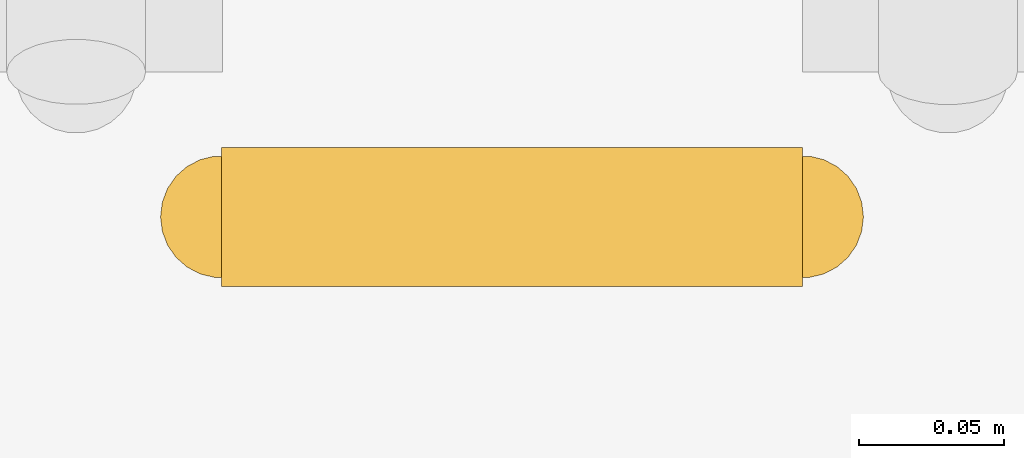
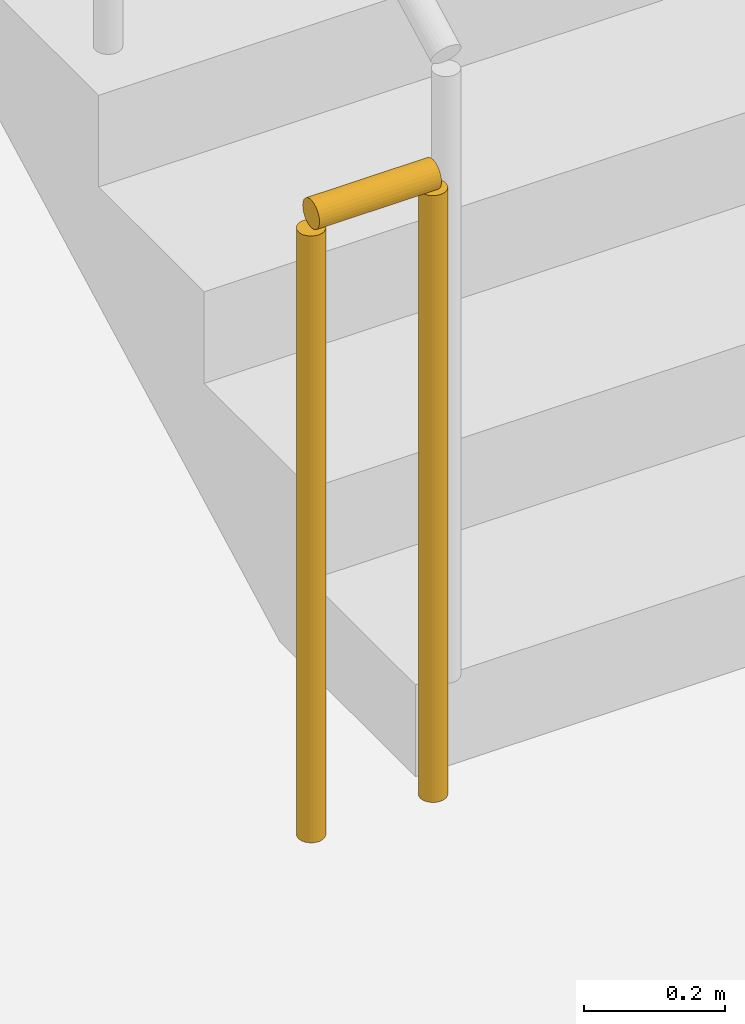
# One storey, part 34 of 45: 1 railing.
"""IFC4 building model written with IfcOpenShell, lengths in metres."""

import ifcopenshell
import ifcopenshell.guid

model = None  # the IFC model being written
_history = None  # IfcOwnerHistory: only IFC2X3 demands one
_inside = {}  # id of a spatial element -> (the spatial element, [elements in it])
_under = {}  # id of a project, library or spatial element -> (it, [spatial elements below it])
_declared = {}  # id of a project -> (the project, [libraries it declares])
_typed = {}  # id of a type object -> (the type object, [elements of that type])
_made_of = {}  # id of a material, layer set ... -> (it, [elements and type objects made of it])


def new_model(schema):
    """Start an empty IFC model of exactly this schema.

    Asked for "IFC4X3", IfcOpenShell would pick the latest addendum, in which some entities
    have other attributes; the version numbers below select the first issue.
    IFC2X3 requires an IfcOwnerHistory on every rooted entity: one is made here for all.
    """
    global model, _history
    if schema == "IFC4X3":
        model = ifcopenshell.file(schema_version=(4, 3, 0, 0))
    else:
        model = ifcopenshell.file(schema=schema)
    _inside.clear()
    _under.clear()
    _declared.clear()
    _typed.clear()
    _made_of.clear()
    _history = None
    if model.schema == "IFC2X3":
        org = make("IfcOrganization", Name="unknown")
        user = make(
            "IfcPersonAndOrganization",
            ThePerson=make("IfcPerson", FamilyName="unknown"),
            TheOrganization=org,
        )
        app = make(
            "IfcApplication",
            ApplicationDeveloper=org,
            Version="unknown",
            ApplicationFullName="unknown",
            ApplicationIdentifier="unknown",
        )
        _history = make(
            "IfcOwnerHistory",
            OwningUser=user,
            OwningApplication=app,
            ChangeAction="ADDED",
            CreationDate=0,
        )
    return model


def make(cls, **values):
    """One entity of the class cls with the attributes given. An attribute that is None is left unset."""
    return model.create_entity(
        cls, **{name: value for name, value in values.items() if value is not None}
    )


def rooted(cls, **values):
    """An entity with a GlobalId (a new one), such as an element, a storey or a relation."""
    return make(cls, GlobalId=ifcopenshell.guid.new(), OwnerHistory=_history, **values)


def si_unit(unit_type, name, prefix=None):
    """IfcSIUnit, for example si_unit("LENGTHUNIT", "METRE", prefix="MILLI")."""
    return make("IfcSIUnit", UnitType=unit_type, Prefix=prefix, Name=name)


def assignment(units):
    """IfcUnitAssignment: the units of a project."""
    return None if units is None else make("IfcUnitAssignment", Units=units)


def point(xyz):
    """IfcCartesianPoint."""
    return None if xyz is None else make("IfcCartesianPoint", Coordinates=xyz)


def direction(xyz):
    """IfcDirection."""
    return None if xyz is None else make("IfcDirection", DirectionRatios=xyz)


def frame(location, z_axis=None, x_axis=None):
    """IfcAxis2Placement3D, a coordinate frame: its origin and axes. An axis left out is left unset."""
    return make(
        "IfcAxis2Placement3D",
        Location=point(location),
        Axis=direction(z_axis),
        RefDirection=direction(x_axis),
    )


def frame_2d(location, x_axis=None):
    """IfcAxis2Placement2D, a coordinate frame in the plane: its origin and x axis."""
    return make(
        "IfcAxis2Placement2D", Location=point(location), RefDirection=direction(x_axis)
    )


def origin():
    """The frame at (0, 0, 0) with its axes left unset."""
    return frame((0.0, 0.0, 0.0))


def origin_2d():
    """The frame at (0, 0) in the plane with its x axis left unset."""
    return frame_2d((0.0, 0.0))


def place(relative_to, where):
    """IfcLocalPlacement: puts the frame where relative to a parent placement (None: the world)."""
    return make(
        "IfcLocalPlacement", PlacementRelTo=relative_to, RelativePlacement=where
    )


def context(
    kind, dimensions, precision=None, world=None, true_north=None, identifier=None
):
    """IfcGeometricRepresentationContext, for example the 3D "Model" context."""
    return make(
        "IfcGeometricRepresentationContext",
        ContextIdentifier=identifier,
        ContextType=kind,
        CoordinateSpaceDimension=dimensions,
        Precision=precision,
        WorldCoordinateSystem=world,
        TrueNorth=true_north,
    )


def subcontext(parent, identifier, kind, view, scale=None):
    """IfcGeometricRepresentationSubContext, for example "Body" below "Model"."""
    return make(
        "IfcGeometricRepresentationSubContext",
        ContextIdentifier=identifier,
        ContextType=kind,
        ParentContext=parent,
        TargetScale=scale,
        TargetView=view,
    )


def project(units=None, contexts=None):
    """IfcProject with its units and contexts."""
    return rooted(
        "IfcProject",
        Name="project",
        RepresentationContexts=contexts,
        UnitsInContext=assignment(units),
    )


def spatial(cls, under=None, at=None, **own):
    """A site, building, storey or space (cls), placed at a placement, below another one or the project."""
    s = rooted(cls, ObjectPlacement=at, **own)
    if under is not None:
        _under.setdefault(under.id(), (under, []))[1].append(s)
    return s


def profile(cls, at=None, kind="AREA", **sizes):
    """A parametric profile (cls). Its sizes go by their IFC names, for example OverallWidth=200.0."""
    return make(cls, ProfileType=kind, Position=at, **sizes)


def circle(**sizes):
    """IfcCircleProfileDef."""
    return profile("IfcCircleProfileDef", **sizes)


def extrude(swept, where, along, depth):
    """IfcExtrudedAreaSolid: the profile swept, set in the frame where, extruded along a direction by depth."""
    return make(
        "IfcExtrudedAreaSolid",
        SweptArea=swept,
        Position=where,
        ExtrudedDirection=direction(along),
        Depth=depth,
    )


def shape(context_of_items, identifier, shape_type, items):
    """IfcShapeRepresentation: the items that make up one representation, for example the "Body"."""
    return make(
        "IfcShapeRepresentation",
        ContextOfItems=context_of_items,
        RepresentationIdentifier=identifier,
        RepresentationType=shape_type,
        Items=items,
    )


def material(Name=None, Category=None):
    """IfcMaterial."""
    return make("IfcMaterial", Name=Name, Category=Category)


def made_of(thing, what):
    """Note that an element or type object is made of a material, layer set ...; save() writes the relation."""
    if what is not None:
        _made_of.setdefault(what.id(), (what, []))[1].append(thing)
    return thing


def type_object(cls, material=None, **own):
    """A type object (cls), such as IfcWallType, which elements share."""
    return made_of(rooted(cls, **own), material)


def element(
    cls,
    number,
    at=None,
    inside=None,
    cuts=None,
    type_object=None,
    material=None,
    context=None,
    identifier="Body",
    shape_type=None,
    held_by="IfcProductDefinitionShape",
    body=None,
    shapes=None,
    **own,
):
    """One element of the class cls, such as IfcWall. Its Tag is "e" and its number.

    at: its placement. inside: the storey or other place that contains it. cuts: it is an
    opening in that element (IfcRelVoidsElement). A single representation is given by context,
    identifier, shape_type and body (its items); several are given by shapes. held_by: the class
    of the entity that holds the representations. save() writes the other relations.
    """
    e = rooted(cls, Tag="e%d" % number, ObjectPlacement=at, **own)
    if body is not None:
        shapes = [shape(context, identifier, shape_type, body)]
    if shapes is not None:
        e.Representation = make(held_by, Representations=shapes)
    if inside is not None:
        _inside.setdefault(inside.id(), (inside, []))[1].append(e)
    if cuts is not None:
        rooted(
            "IfcRelVoidsElement", RelatingBuildingElement=cuts, RelatedOpeningElement=e
        )
    if type_object is not None:
        _typed.setdefault(type_object.id(), (type_object, []))[1].append(e)
    return made_of(e, material)


def aggregate(whole, parts):
    """IfcRelAggregates: a whole, such as a stair, and the parts it consists of."""
    return rooted("IfcRelAggregates", RelatingObject=whole, RelatedObjects=parts)


def save(model, path):
    """Write the relations noted so far, then the file.

    IfcRelAggregates (storeys below a building ...), IfcRelContainedInSpatialStructure (elements
    in a storey), IfcRelDefinesByType, IfcRelAssociatesMaterial and IfcRelDeclares: one each for
    every whole, place, type object, material and project.
    """
    for whole, parts in _under.values():
        aggregate(whole, parts)
    for where, things in _inside.values():
        rooted(
            "IfcRelContainedInSpatialStructure",
            RelatedElements=things,
            RelatingStructure=where,
        )
    for kind, things in _typed.values():
        rooted("IfcRelDefinesByType", RelatedObjects=things, RelatingType=kind)
    for what, things in _made_of.values():
        rooted("IfcRelAssociatesMaterial", RelatedObjects=things, RelatingMaterial=what)
    for by, libraries in _declared.values():
        rooted("IfcRelDeclares", RelatingContext=by, RelatedDefinitions=libraries)
    model.write(path)


model = new_model("IFC4")

# Units and contexts
model_context = context("Model", 3, precision=1e-05, world=origin(), true_north=direction((0.0, 1.0)))
body_context = subcontext(model_context, "Body", "Model", "MODEL_VIEW")
ifc_project = project(units=[si_unit("LENGTHUNIT", "METRE"), si_unit("AREAUNIT", "SQUARE_METRE"), si_unit("VOLUMEUNIT", "CUBIC_METRE"), si_unit("PLANEANGLEUNIT", "RADIAN"), si_unit("MASSUNIT", "GRAM", prefix="KILO")], contexts=[model_context])

# Site, building, storey
site_placement = place(None, origin())
site = spatial("IfcSite", under=ifc_project, at=site_placement, CompositionType="ELEMENT")
building_placement = place(site_placement, origin())
building = spatial("IfcBuilding", under=site, at=building_placement, Name="Kenh Van Central Station", CompositionType="ELEMENT")
storey_placement = place(building_placement, frame((0.0, 0.0, -5.39990234375)))
storey = spatial("IfcBuildingStorey", under=building, at=storey_placement, Name="B1", CompositionType="ELEMENT", Elevation=-5.39990234375)

# Railing
ifc_material = material(Name="Champagne anodised aluminium", Category="aluminium")
railing_type = type_object("IfcRailingType", Name="RAIL-CORE-GRD110", PredefinedType="GUARDRAIL", material=ifc_material)
railing_placement = place(storey_placement, frame((50.89990234375, 22.85009765625, 0.0)))
element("IfcRailing", 1, at=railing_placement, inside=storey, type_object=railing_type, Name="B1 ST-03 stair guard 4", PredefinedType="GUARDRAIL", context=body_context, shape_type="SweptSolid", body=[
    extrude(circle(Radius=0.02392578125, at=origin_2d()), frame((0.0, 0.0, 1.076171875), z_axis=(-1.0, 0.0, 0.0), x_axis=(0.0, -1.0, 0.0)), (0.0, 0.0, 1.0), 0.199951171875),
    extrude(circle(Radius=0.02099609375, at=origin_2d()), origin(), (0.0, 0.0, 1.0), 1.052001953125),
    extrude(circle(Radius=0.02099609375, at=origin_2d()), frame((-0.199951171875, 0.0, 0.0)), (0.0, 0.0, 1.0), 1.052001953125),
])

save(model, "model.ifc")
